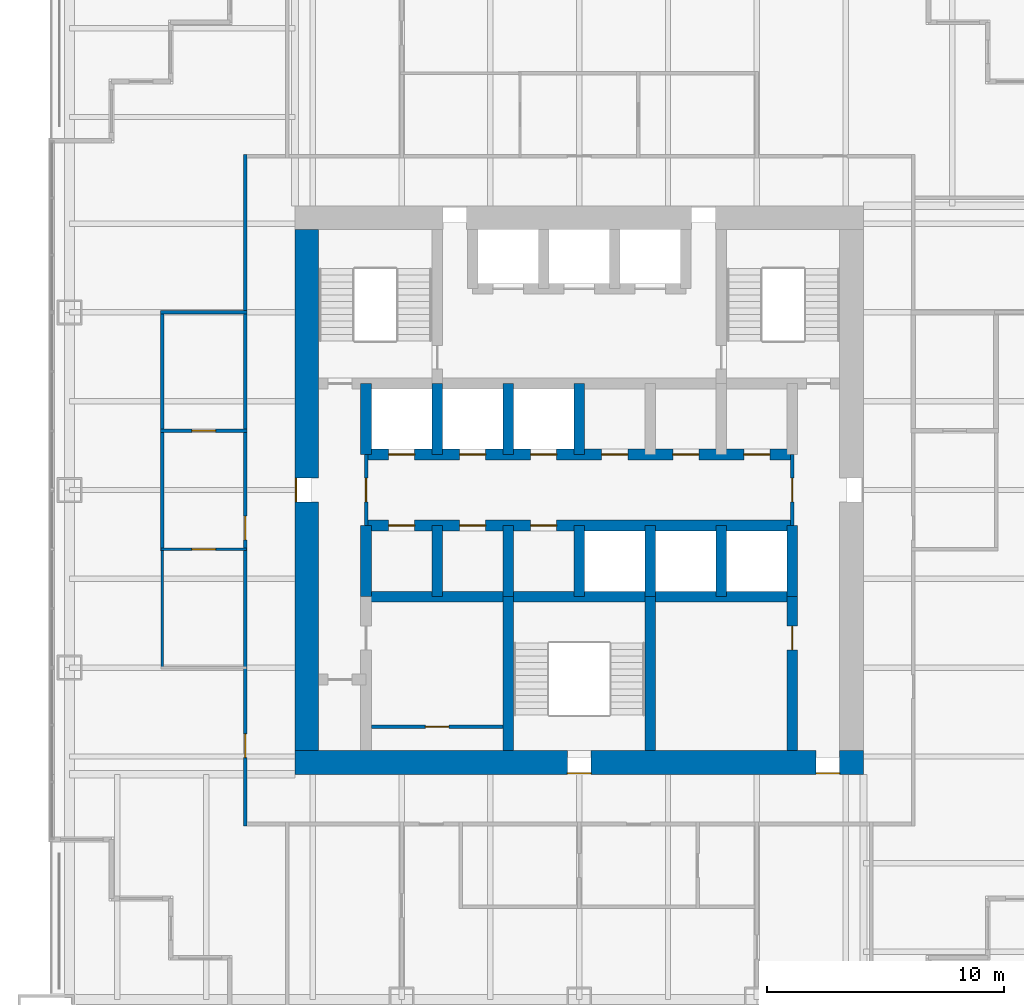
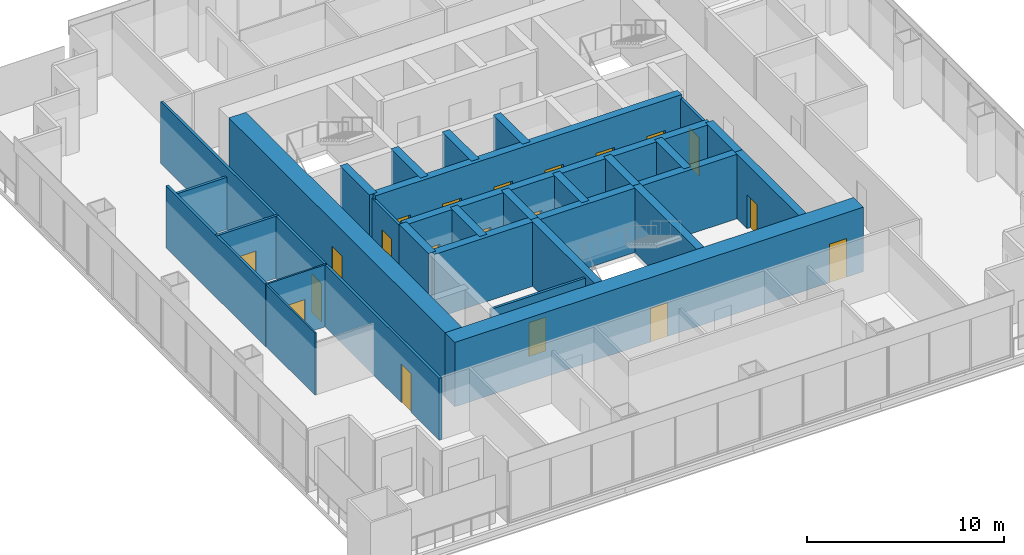
# One storey, part 9 of 13: 28 walls, 20 doors, 20 openings.
"""IFC4 building model written with IfcOpenShell, lengths in metres."""

from ifc_helpers import new_model, si_unit, direction, frame, frame_2d, origin, place, context, subcontext, project, spatial, rectangle, extrude, material, layer, layer_set, type_object, element, fill, save


model = new_model("IFC4")

# Units and contexts
model_context = context("Model", 3, precision=1e-05, world=origin(), true_north=direction((0.0, 1.0)))
body_context = subcontext(model_context, "Body", "Model", "MODEL_VIEW")
ifc_project = project(units=[si_unit("LENGTHUNIT", "METRE"), si_unit("AREAUNIT", "SQUARE_METRE"), si_unit("VOLUMEUNIT", "CUBIC_METRE"), si_unit("PLANEANGLEUNIT", "RADIAN"), si_unit("MASSUNIT", "GRAM", prefix="KILO")], contexts=[model_context])

# Site, building, storey
site_placement = place(None, origin())
site = spatial("IfcSite", under=ifc_project, at=site_placement, CompositionType="ELEMENT")
building_placement = place(site_placement, origin())
building = spatial("IfcBuilding", under=site, at=building_placement, Name="Tarangal Relay Tower", CompositionType="ELEMENT")
storey_placement = place(building_placement, frame((0.0, 0.0, 209.89990234375)))
storey = spatial("IfcBuildingStorey", under=building, at=storey_placement, Name="L44", CompositionType="ELEMENT", Elevation=209.89990234375)

# Wall, openings, doors
ifc_material_1 = material(Name="Concrete fc' 60 MPa", Category="concrete")
ifc_layer_1 = layer(ifc_material_1, 0.449951171875)
ifc_layer_set_1 = layer_set([ifc_layer_1], Name="Core inner wall 450")
wall_type_1 = type_object("IfcWallType", Name="Core inner wall 450", PredefinedType="SHEAR", material=ifc_layer_set_1)
wall_1_placement = place(storey_placement, frame((-9.0, 1.5, 0.0), z_axis=(0.0, 0.0, 1.0), x_axis=(1.0, 0.0, 0.0)))
wall_1 = element("IfcWall", 1, at=wall_1_placement, inside=storey, type_object=wall_type_1, Name="Core wall Y15 L44", PredefinedType="SHEAR", context=body_context, shape_type="SweptSolid", body=[
    extrude(rectangle(XDim=18.0, YDim=0.449951171875, at=frame_2d((9.0, 0.0))), origin(), (0.0, 0.0, 1.0), 4.0),
])
opening_1_placement = place(wall_1_placement, frame((0.949951171875, 0.0, 0.0)))
opening_1 = element("IfcOpeningElement", 2, at=opening_1_placement, cuts=wall_1, Name="Opening LD1", PredefinedType="OPENING", context=body_context, shape_type="SweptSolid", body=[
    extrude(rectangle(XDim=1.10009765625, YDim=2.10009765625, at=frame_2d((0.550048828125, 1.050048828125))), frame((0.0, 0.23486328125, 0.0), z_axis=(0.0, -1.0, 0.0), x_axis=(1.0, 0.0, 0.0)), (0.0, 0.0, 1.0), 0.469970703125),
])
opening_2_placement = place(wall_1_placement, frame((3.949951171875, 0.0, 0.0)))
opening_2 = element("IfcOpeningElement", 3, at=opening_2_placement, cuts=wall_1, Name="Opening LD1", PredefinedType="OPENING", context=body_context, shape_type="SweptSolid", body=[
    extrude(rectangle(XDim=1.10009765625, YDim=2.10009765625, at=frame_2d((0.550048828125, 1.050048828125))), frame((0.0, 0.23486328125, 0.0), z_axis=(0.0, -1.0, 0.0), x_axis=(1.0, 0.0, 0.0)), (0.0, 0.0, 1.0), 0.469970703125),
])
opening_3_placement = place(wall_1_placement, frame((6.949951171875, 0.0, 0.0)))
opening_3 = element("IfcOpeningElement", 4, at=opening_3_placement, cuts=wall_1, Name="Opening LD1", PredefinedType="OPENING", context=body_context, shape_type="SweptSolid", body=[
    extrude(rectangle(XDim=1.10009765625, YDim=2.10009765625, at=frame_2d((0.550048828125, 1.050048828125))), frame((0.0, 0.23486328125, 0.0), z_axis=(0.0, -1.0, 0.0), x_axis=(1.0, 0.0, 0.0)), (0.0, 0.0, 1.0), 0.469970703125),
])
opening_4_placement = place(wall_1_placement, frame((9.949951171875, 0.0, 0.0)))
opening_4 = element("IfcOpeningElement", 5, at=opening_4_placement, cuts=wall_1, Name="Opening D4", PredefinedType="OPENING", context=body_context, shape_type="SweptSolid", body=[
    extrude(rectangle(XDim=1.10009765625, YDim=2.10009765625, at=frame_2d((0.550048828125, 1.050048828125))), frame((0.0, 0.23486328125, 0.0), z_axis=(0.0, -1.0, 0.0), x_axis=(1.0, 0.0, 0.0)), (0.0, 0.0, 1.0), 0.469970703125),
])
opening_5_placement = place(wall_1_placement, frame((12.949951171875, 0.0, 0.0)))
opening_5 = element("IfcOpeningElement", 6, at=opening_5_placement, cuts=wall_1, Name="Opening D4", PredefinedType="OPENING", context=body_context, shape_type="SweptSolid", body=[
    extrude(rectangle(XDim=1.10009765625, YDim=2.10009765625, at=frame_2d((0.550048828125, 1.050048828125))), frame((0.0, 0.23486328125, 0.0), z_axis=(0.0, -1.0, 0.0), x_axis=(1.0, 0.0, 0.0)), (0.0, 0.0, 1.0), 0.469970703125),
])
opening_6_placement = place(wall_1_placement, frame((15.949951171875, 0.0, 0.0)))
opening_6 = element("IfcOpeningElement", 7, at=opening_6_placement, cuts=wall_1, Name="Opening D4", PredefinedType="OPENING", context=body_context, shape_type="SweptSolid", body=[
    extrude(rectangle(XDim=1.10009765625, YDim=2.10009765625, at=frame_2d((0.550048828125, 1.050048828125))), frame((0.0, 0.23486328125, 0.0), z_axis=(0.0, -1.0, 0.0), x_axis=(1.0, 0.0, 0.0)), (0.0, 0.0, 1.0), 0.469970703125),
])
ifc_material_2 = material(Name="Steel door with hardwood frame", Category="steel")
door_type_1 = type_object("IfcDoorType", Name="Core room door 1100 x 2100", OperationType="SINGLE_SWING_RIGHT", PredefinedType="DOOR", material=ifc_material_2)
door_1_placement = place(opening_4_placement, origin())
door_1 = element("IfcDoor", 8, at=door_1_placement, inside=storey, type_object=door_type_1, Name="Door D4 to cleaner's store L44-T1", OperationType="SINGLE_SWING_RIGHT", OverallHeight=2.10009765625, OverallWidth=1.10009765625, PredefinedType="DOOR", context=body_context, shape_type="SweptSolid", body=[
    extrude(rectangle(XDim=1.10009765625, YDim=2.10009765625, at=frame_2d((0.550048828125, 1.050048828125))), frame((0.0, 0.02490234375, 0.0), z_axis=(0.0, -1.0, 0.0), x_axis=(1.0, 0.0, 0.0)), (0.0, 0.0, 1.0), 0.050048828125),
])
fill(opening_4, door_1)
door_2_placement = place(opening_5_placement, origin())
door_2 = element("IfcDoor", 9, at=door_2_placement, inside=storey, type_object=door_type_1, Name="Door D4 to staff wc L44-T2", OperationType="SINGLE_SWING_RIGHT", OverallHeight=2.10009765625, OverallWidth=1.10009765625, PredefinedType="DOOR", context=body_context, shape_type="SweptSolid", body=[
    extrude(rectangle(XDim=1.10009765625, YDim=2.10009765625, at=frame_2d((0.550048828125, 1.050048828125))), frame((0.0, 0.02490234375, 0.0), z_axis=(0.0, -1.0, 0.0), x_axis=(1.0, 0.0, 0.0)), (0.0, 0.0, 1.0), 0.050048828125),
])
fill(opening_5, door_2)
door_3_placement = place(opening_6_placement, origin())
door_3 = element("IfcDoor", 10, at=door_3_placement, inside=storey, type_object=door_type_1, Name="Door D4 to staff pantry L44-T3", OperationType="SINGLE_SWING_RIGHT", OverallHeight=2.10009765625, OverallWidth=1.10009765625, PredefinedType="DOOR", context=body_context, shape_type="SweptSolid", body=[
    extrude(rectangle(XDim=1.10009765625, YDim=2.10009765625, at=frame_2d((0.550048828125, 1.050048828125))), frame((0.0, 0.02490234375, 0.0), z_axis=(0.0, -1.0, 0.0), x_axis=(1.0, 0.0, 0.0)), (0.0, 0.0, 1.0), 0.050048828125),
])
fill(opening_6, door_3)
door_type_2 = type_object("IfcDoorType", Name="Lift landing door 1100 x 2100", OperationType="SLIDING_TO_LEFT", PredefinedType="DOOR", material=ifc_material_2)
door_4_placement = place(opening_1_placement, origin())
door_4 = element("IfcDoor", 11, at=door_4_placement, inside=storey, type_object=door_type_2, Name="Lift OL1 landing door L44", OperationType="SLIDING_TO_LEFT", OverallHeight=2.10009765625, OverallWidth=1.10009765625, PredefinedType="DOOR", context=body_context, shape_type="SweptSolid", body=[
    extrude(rectangle(XDim=1.10009765625, YDim=2.10009765625, at=frame_2d((0.550048828125, 1.050048828125))), frame((0.0, 0.02490234375, 0.0), z_axis=(0.0, -1.0, 0.0), x_axis=(1.0, 0.0, 0.0)), (0.0, 0.0, 1.0), 0.050048828125),
])
fill(opening_1, door_4)
door_5_placement = place(opening_2_placement, origin())
door_5 = element("IfcDoor", 12, at=door_5_placement, inside=storey, type_object=door_type_2, Name="Lift OL2 landing door L44", OperationType="SLIDING_TO_LEFT", OverallHeight=2.10009765625, OverallWidth=1.10009765625, PredefinedType="DOOR", context=body_context, shape_type="SweptSolid", body=[
    extrude(rectangle(XDim=1.10009765625, YDim=2.10009765625, at=frame_2d((0.550048828125, 1.050048828125))), frame((0.0, 0.02490234375, 0.0), z_axis=(0.0, -1.0, 0.0), x_axis=(1.0, 0.0, 0.0)), (0.0, 0.0, 1.0), 0.050048828125),
])
fill(opening_2, door_5)
door_6_placement = place(opening_3_placement, origin())
door_6 = element("IfcDoor", 13, at=door_6_placement, inside=storey, type_object=door_type_2, Name="Lift OL3 landing door L44", OperationType="SLIDING_TO_LEFT", OverallHeight=2.10009765625, OverallWidth=1.10009765625, PredefinedType="DOOR", context=body_context, shape_type="SweptSolid", body=[
    extrude(rectangle(XDim=1.10009765625, YDim=2.10009765625, at=frame_2d((0.550048828125, 1.050048828125))), frame((0.0, 0.02490234375, 0.0), z_axis=(0.0, -1.0, 0.0), x_axis=(1.0, 0.0, 0.0)), (0.0, 0.0, 1.0), 0.050048828125),
])
fill(opening_3, door_6)

wall_2_placement = place(storey_placement, frame((-9.0, -1.5, 0.0), z_axis=(0.0, 0.0, 1.0), x_axis=(1.0, 0.0, 0.0)))
wall_2 = element("IfcWall", 14, at=wall_2_placement, inside=storey, type_object=wall_type_1, Name="Core wall YM15 L44", PredefinedType="SHEAR", context=body_context, shape_type="SweptSolid", body=[
    extrude(rectangle(XDim=18.0, YDim=0.449951171875, at=frame_2d((9.0, 0.0))), origin(), (0.0, 0.0, 1.0), 4.0),
])
opening_7_placement = place(wall_2_placement, frame((0.949951171875, 0.0, 0.0)))
opening_7 = element("IfcOpeningElement", 15, at=opening_7_placement, cuts=wall_2, Name="Opening D4", PredefinedType="OPENING", context=body_context, shape_type="SweptSolid", body=[
    extrude(rectangle(XDim=1.10009765625, YDim=2.10009765625, at=frame_2d((0.550048828125, 1.050048828125))), frame((0.0, 0.23486328125, 0.0), z_axis=(0.0, -1.0, 0.0), x_axis=(1.0, 0.0, 0.0)), (0.0, 0.0, 1.0), 0.469970703125),
])
opening_8_placement = place(wall_2_placement, frame((3.949951171875, 0.0, 0.0)))
opening_8 = element("IfcOpeningElement", 16, at=opening_8_placement, cuts=wall_2, Name="Opening D4", PredefinedType="OPENING", context=body_context, shape_type="SweptSolid", body=[
    extrude(rectangle(XDim=1.10009765625, YDim=2.10009765625, at=frame_2d((0.550048828125, 1.050048828125))), frame((0.0, 0.23486328125, 0.0), z_axis=(0.0, -1.0, 0.0), x_axis=(1.0, 0.0, 0.0)), (0.0, 0.0, 1.0), 0.469970703125),
])
opening_9_placement = place(wall_2_placement, frame((6.949951171875, 0.0, 0.0)))
opening_9 = element("IfcOpeningElement", 17, at=opening_9_placement, cuts=wall_2, Name="Opening D4", PredefinedType="OPENING", context=body_context, shape_type="SweptSolid", body=[
    extrude(rectangle(XDim=1.10009765625, YDim=2.10009765625, at=frame_2d((0.550048828125, 1.050048828125))), frame((0.0, 0.23486328125, 0.0), z_axis=(0.0, -1.0, 0.0), x_axis=(1.0, 0.0, 0.0)), (0.0, 0.0, 1.0), 0.469970703125),
])
door_7_placement = place(opening_7_placement, origin())
door_7 = element("IfcDoor", 18, at=door_7_placement, inside=storey, type_object=door_type_1, Name="Door D4 to it room L44-S1", OperationType="SINGLE_SWING_RIGHT", OverallHeight=2.10009765625, OverallWidth=1.10009765625, PredefinedType="DOOR", context=body_context, shape_type="SweptSolid", body=[
    extrude(rectangle(XDim=1.10009765625, YDim=2.10009765625, at=frame_2d((0.550048828125, 1.050048828125))), frame((0.0, 0.02490234375, 0.0), z_axis=(0.0, -1.0, 0.0), x_axis=(1.0, 0.0, 0.0)), (0.0, 0.0, 1.0), 0.050048828125),
])
fill(opening_7, door_7)
door_8_placement = place(opening_8_placement, origin())
door_8 = element("IfcDoor", 19, at=door_8_placement, inside=storey, type_object=door_type_1, Name="Door D4 to cleaner's store L44-S2", OperationType="SINGLE_SWING_RIGHT", OverallHeight=2.10009765625, OverallWidth=1.10009765625, PredefinedType="DOOR", context=body_context, shape_type="SweptSolid", body=[
    extrude(rectangle(XDim=1.10009765625, YDim=2.10009765625, at=frame_2d((0.550048828125, 1.050048828125))), frame((0.0, 0.02490234375, 0.0), z_axis=(0.0, -1.0, 0.0), x_axis=(1.0, 0.0, 0.0)), (0.0, 0.0, 1.0), 0.050048828125),
])
fill(opening_8, door_8)
door_9_placement = place(opening_9_placement, origin())
door_9 = element("IfcDoor", 20, at=door_9_placement, inside=storey, type_object=door_type_1, Name="Door D4 to staff wc L44-S3", OperationType="SINGLE_SWING_RIGHT", OverallHeight=2.10009765625, OverallWidth=1.10009765625, PredefinedType="DOOR", context=body_context, shape_type="SweptSolid", body=[
    extrude(rectangle(XDim=1.10009765625, YDim=2.10009765625, at=frame_2d((0.550048828125, 1.050048828125))), frame((0.0, 0.02490234375, 0.0), z_axis=(0.0, -1.0, 0.0), x_axis=(1.0, 0.0, 0.0)), (0.0, 0.0, 1.0), 0.050048828125),
])
fill(opening_9, door_9)

# Walls
wall_3_placement = place(storey_placement, frame((-9.0, -4.5, 0.0), z_axis=(0.0, 0.0, 1.0), x_axis=(1.0, 0.0, 0.0)))
element("IfcWall", 21, at=wall_3_placement, inside=storey, type_object=wall_type_1, Name="Core wall YM45 L44", PredefinedType="SHEAR", context=body_context, shape_type="SweptSolid", body=[
    extrude(rectangle(XDim=18.0, YDim=0.449951171875, at=frame_2d((9.0, 0.0))), origin(), (0.0, 0.0, 1.0), 4.0),
])
for number, where, z_axis, x_axis, name in (
    (22, (-9.0, 1.5, 0.0), (0.0, 0.0, 1.0), (0.0, 1.0, 0.0), "Core wall XM9N L44"),
    (23, (-9.0, -4.5, 0.0), (0.0, 0.0, 1.0), (0.0, 1.0, 0.0), "Core wall XM9S L44"),
    (24, (9.0, -4.5, 0.0), (0.0, 0.0, 1.0), (0.0, 1.0, 0.0), "Core wall X9S L44"),
    (25, (-6.0, 1.5, 0.0), (0.0, 0.0, 1.0), (0.0, 1.0, 0.0), "Core wall XM6N L44"),
    (26, (-3.0, 1.5, 0.0), (0.0, 0.0, 1.0), (0.0, 1.0, 0.0), "Core wall XM3N L44"),
    (27, (0.0, 1.5, 0.0), (0.0, 0.0, 1.0), (0.0, 1.0, 0.0), "Core wall X0N L44"),
    (28, (-6.0, -4.5, 0.0), (0.0, 0.0, 1.0), (0.0, 1.0, 0.0), "Core wall XM6S L44"),
    (29, (-3.0, -4.5, 0.0), (0.0, 0.0, 1.0), (0.0, 1.0, 0.0), "Core wall XM3S L44"),
    (30, (0.0, -4.5, 0.0), (0.0, 0.0, 1.0), (0.0, 1.0, 0.0), "Core wall X0S L44"),
    (31, (3.0, -4.5, 0.0), (0.0, 0.0, 1.0), (0.0, 1.0, 0.0), "Core wall X3S L44"),
    (32, (6.0, -4.5, 0.0), (0.0, 0.0, 1.0), (0.0, 1.0, 0.0), "Core wall X6S L44"),
):
    element("IfcWall", number, at=place(storey_placement, frame(where, z_axis=z_axis, x_axis=x_axis)), inside=storey, type_object=wall_type_1, Name=name, PredefinedType="SHEAR", context=body_context, shape_type="SweptSolid", body=[
        extrude(rectangle(XDim=3.0, YDim=0.449951171875, at=frame_2d((1.5, 0.0))), origin(), (0.0, 0.0, 1.0), 4.0),
    ])

# Wall, opening, door
wall_4_placement = place(storey_placement, frame((9.0, -11.0, 0.0), z_axis=(0.0, 0.0, 1.0), x_axis=(0.0, 1.0, 0.0)))
wall_4 = element("IfcWall", 33, at=wall_4_placement, inside=storey, type_object=wall_type_1, Name="Core wall X9W L44", PredefinedType="SHEAR", context=body_context, shape_type="SweptSolid", body=[
    extrude(rectangle(XDim=6.5, YDim=0.449951171875, at=frame_2d((3.25, 0.0))), origin(), (0.0, 0.0, 1.0), 4.0),
])
opening_10_placement = place(wall_4_placement, frame((4.25, 0.0, 0.0)))
opening_10 = element("IfcOpeningElement", 34, at=opening_10_placement, cuts=wall_4, Name="Opening D1", PredefinedType="OPENING", context=body_context, shape_type="SweptSolid", body=[
    extrude(rectangle(XDim=1.0, YDim=2.10009765625, at=frame_2d((0.5, 1.050048828125))), frame((0.0, 0.23486328125, 0.0), z_axis=(0.0, -1.0, 0.0), x_axis=(1.0, 0.0, 0.0)), (0.0, 0.0, 1.0), 0.469970703125),
])
ifc_material_3 = material(Name="Hardwood door", Category="wood")
door_type_3 = type_object("IfcDoorType", Name="WC door 1000 x 2100", OperationType="SINGLE_SWING_LEFT", PredefinedType="DOOR", material=ifc_material_3)
door_10_placement = place(opening_10_placement, origin())
door_10 = element("IfcDoor", 35, at=door_10_placement, inside=storey, type_object=door_type_3, Name="Female WC door L44", OperationType="SINGLE_SWING_LEFT", OverallHeight=2.10009765625, OverallWidth=1.0, PredefinedType="DOOR", context=body_context, shape_type="SweptSolid", body=[
    extrude(rectangle(XDim=1.0, YDim=2.10009765625, at=frame_2d((0.5, 1.050048828125))), frame((0.0, 0.02490234375, 0.0), z_axis=(0.0, -1.0, 0.0), x_axis=(1.0, 0.0, 0.0)), (0.0, 0.0, 1.0), 0.050048828125),
])
fill(opening_10, door_10)

# Walls
for number, where, z_axis, x_axis, name in (
    (36, (-3.0, -11.0, 0.0), (0.0, 0.0, 1.0), (0.0, 1.0, 0.0), "Core wall XM3W L44"),
    (37, (3.0, -11.0, 0.0), (0.0, 0.0, 1.0), (0.0, 1.0, 0.0), "Core wall X3W L44"),
):
    element("IfcWall", number, at=place(storey_placement, frame(where, z_axis=z_axis, x_axis=x_axis)), inside=storey, type_object=wall_type_1, Name=name, PredefinedType="SHEAR", context=body_context, shape_type="SweptSolid", body=[
        extrude(rectangle(XDim=6.5, YDim=0.449951171875, at=frame_2d((3.25, 0.0))), origin(), (0.0, 0.0, 1.0), 4.0),
    ])

# Wall, openings, doors
ifc_layer_2 = layer(ifc_material_1, 1.0)
ifc_layer_set_2 = layer_set([ifc_layer_2], Name="Core wall 1000")
wall_type_2 = type_object("IfcWallType", Name="Core wall 1000", PredefinedType="SHEAR", material=ifc_layer_set_2)
wall_5_placement = place(storey_placement, frame((12.0, -11.5, 0.0), z_axis=(0.0, 0.0, 1.0), x_axis=(-1.0, 0.0, 0.0)))
wall_5 = element("IfcWall", 38, at=wall_5_placement, inside=storey, type_object=wall_type_2, Name="Core wall S L44", PredefinedType="SHEAR", context=body_context, shape_type="SweptSolid", body=[
    extrude(rectangle(XDim=24.0, YDim=1.0, at=frame_2d((12.0, 0.0))), origin(), (0.0, 0.0, 1.0), 4.0),
])
opening_11_placement = place(wall_5_placement, frame((11.5, 0.0, 0.0)))
opening_11 = element("IfcOpeningElement", 39, at=opening_11_placement, cuts=wall_5, Name="Opening FD1", PredefinedType="OPENING", context=body_context, shape_type="SweptSolid", body=[
    extrude(rectangle(XDim=1.0, YDim=2.10009765625, at=frame_2d((0.5, 1.050048828125))), frame((0.0, 0.510009765625, 0.0), z_axis=(0.0, -1.0, 0.0), x_axis=(1.0, 0.0, 0.0)), (0.0, 0.0, 1.0), 1.02001953125),
])
opening_12_placement = place(wall_5_placement, frame((1.0, 0.0, 0.0)))
opening_12 = element("IfcOpeningElement", 40, at=opening_12_placement, cuts=wall_5, Name="Opening FD3", PredefinedType="OPENING", context=body_context, shape_type="SweptSolid", body=[
    extrude(rectangle(XDim=1.0, YDim=2.39990234375, at=frame_2d((0.5, 1.199951171875))), frame((0.0, 0.510009765625, 0.0), z_axis=(0.0, -1.0, 0.0), x_axis=(1.0, 0.0, 0.0)), (0.0, 0.0, 1.0), 1.02001953125),
])
door_type_4 = type_object("IfcDoorType", Name="Fire door 1000 x 2100", OperationType="SINGLE_SWING_LEFT", PredefinedType="DOOR", material=ifc_material_2)
door_11_placement = place(opening_11_placement, origin())
door_11 = element("IfcDoor", 41, at=door_11_placement, inside=storey, type_object=door_type_4, Name="Stair ST-C door L44", OperationType="SINGLE_SWING_LEFT", OverallHeight=2.10009765625, OverallWidth=1.0, PredefinedType="DOOR", context=body_context, shape_type="SweptSolid", body=[
    extrude(rectangle(XDim=1.0, YDim=2.10009765625, at=frame_2d((0.5, 1.050048828125))), frame((0.0, 0.48486328125, 0.0), z_axis=(0.0, -1.0, 0.0), x_axis=(1.0, 0.0, 0.0)), (0.0, 0.0, 1.0), 0.050048828125),
])
fill(opening_11, door_11)
door_type_5 = type_object("IfcDoorType", Name="Fire door 1000 x 2400 core entry", OperationType="SINGLE_SWING_RIGHT", PredefinedType="DOOR", material=ifc_material_2)
door_12_placement = place(opening_12_placement, origin())
door_12 = element("IfcDoor", 42, at=door_12_placement, inside=storey, type_object=door_type_5, Name="Core entry door south east L44", OperationType="SINGLE_SWING_RIGHT", OverallHeight=2.39990234375, OverallWidth=1.0, PredefinedType="DOOR", context=body_context, shape_type="SweptSolid", body=[
    extrude(rectangle(XDim=1.0, YDim=2.39990234375, at=frame_2d((0.5, 1.199951171875))), frame((0.0, 0.48486328125, 0.0), z_axis=(0.0, -1.0, 0.0), x_axis=(1.0, 0.0, 0.0)), (0.0, 0.0, 1.0), 0.050048828125),
])
fill(opening_12, door_12)

# Wall, opening, door
wall_6_placement = place(storey_placement, frame((-11.5, -11.0, 0.0), z_axis=(0.0, 0.0, 1.0), x_axis=(0.0, 1.0, 0.0)))
wall_6 = element("IfcWall", 43, at=wall_6_placement, inside=storey, type_object=wall_type_2, Name="Core wall W L44", PredefinedType="SHEAR", context=body_context, shape_type="SweptSolid", body=[
    extrude(rectangle(XDim=22.0, YDim=1.0, at=frame_2d((11.0, 0.0))), origin(), (0.0, 0.0, 1.0), 4.0),
])
opening_13_placement = place(wall_6_placement, frame((10.5, 0.0, 0.0)))
opening_13 = element("IfcOpeningElement", 44, at=opening_13_placement, cuts=wall_6, Name="Opening FD3", PredefinedType="OPENING", context=body_context, shape_type="SweptSolid", body=[
    extrude(rectangle(XDim=1.0, YDim=2.39990234375, at=frame_2d((0.5, 1.199951171875))), frame((0.0, 0.510009765625, 0.0), z_axis=(0.0, -1.0, 0.0), x_axis=(1.0, 0.0, 0.0)), (0.0, 0.0, 1.0), 1.02001953125),
])
door_13_placement = place(opening_13_placement, origin())
door_13 = element("IfcDoor", 45, at=door_13_placement, inside=storey, type_object=door_type_5, Name="Core entry door west L44", OperationType="SINGLE_SWING_RIGHT", OverallHeight=2.39990234375, OverallWidth=1.0, PredefinedType="DOOR", context=body_context, shape_type="SweptSolid", body=[
    extrude(rectangle(XDim=1.0, YDim=2.39990234375, at=frame_2d((0.5, 1.199951171875))), frame((0.0, 0.48486328125, 0.0), z_axis=(0.0, -1.0, 0.0), x_axis=(1.0, 0.0, 0.0)), (0.0, 0.0, 1.0), 0.050048828125),
])
fill(opening_13, door_13)

ifc_material_4 = material(Name="Double glazed aluminium framed partition", Category="aluminium")
ifc_layer_3 = layer(ifc_material_4, 0.10009765625)
ifc_layer_set_3 = layer_set([ifc_layer_3], Name="Glazed partition 100")
wall_type_3 = type_object("IfcWallType", Name="Glazed partition 100", PredefinedType="PARTITIONING", material=ifc_layer_set_3)
wall_7_placement = place(storey_placement, frame((-17.64990234375, -2.5, 0.0), z_axis=(0.0, 0.0, 1.0), x_axis=(1.0, 0.0, 0.0)))
wall_7 = element("IfcWall", 46, at=wall_7_placement, inside=storey, type_object=wall_type_3, Name="Partition PT3 L44", PredefinedType="PARTITIONING", context=body_context, shape_type="SweptSolid", body=[
    extrude(rectangle(XDim=3.599853515625, YDim=0.10009765625, at=frame_2d((1.7998046875, 0.0))), origin(), (0.0, 0.0, 1.0), 3.85009765625),
])
opening_14_placement = place(wall_7_placement, frame((1.300048828125, 0.0, 0.0)))
opening_14 = element("IfcOpeningElement", 47, at=opening_14_placement, cuts=wall_7, Name="Opening D3", PredefinedType="OPENING", context=body_context, shape_type="SweptSolid", body=[
    extrude(rectangle(XDim=1.0, YDim=2.10009765625, at=frame_2d((0.5, 1.050048828125))), frame((0.0, 0.06005859375, 0.0), z_axis=(0.0, -1.0, 0.0), x_axis=(1.0, 0.0, 0.0)), (0.0, 0.0, 1.0), 0.1201171875),
])
ifc_material_5 = material(Name="Frameless glass door", Category="glass")
door_type_6 = type_object("IfcDoorType", Name="Glazed door 1000 x 2100", OperationType="SINGLE_SWING_LEFT", PredefinedType="DOOR", material=ifc_material_5)
door_14_placement = place(opening_14_placement, origin())
door_14 = element("IfcDoor", 48, at=door_14_placement, inside=storey, type_object=door_type_6, Name="Door D3 to meeting room L44-15", OperationType="SINGLE_SWING_LEFT", OverallHeight=2.10009765625, OverallWidth=1.0, PredefinedType="DOOR", context=body_context, shape_type="SweptSolid", body=[
    extrude(rectangle(XDim=1.0, YDim=2.10009765625, at=frame_2d((0.5, 1.050048828125))), frame((0.0, 0.02490234375, 0.0), z_axis=(0.0, -1.0, 0.0), x_axis=(1.0, 0.0, 0.0)), (0.0, 0.0, 1.0), 0.050048828125),
])
fill(opening_14, door_14)

# Wall
wall_8_placement = place(storey_placement, frame((-17.60009765625, -7.550048828125, 0.0), z_axis=(0.0, 0.0, 1.0), x_axis=(0.0, 1.0, 0.0)))
element("IfcWall", 49, at=wall_8_placement, inside=storey, type_object=wall_type_3, Name="Partition PT3 L44", PredefinedType="PARTITIONING", context=body_context, shape_type="SweptSolid", body=[
    extrude(rectangle(XDim=5.10009765625, YDim=0.10009765625, at=frame_2d((2.550048828125, 0.0))), origin(), (0.0, 0.0, 1.0), 3.85009765625),
])

# Wall, opening, door
ifc_material_6 = material(Name="Gypsum board on steel studs", Category="steel")
ifc_layer_4 = layer(ifc_material_6, 0.14990234375)
ifc_layer_set_4 = layer_set([ifc_layer_4], Name="Partition 150")
wall_type_4 = type_object("IfcWallType", Name="Partition 150", PredefinedType="PARTITIONING", material=ifc_layer_set_4)
wall_9_placement = place(storey_placement, frame((-17.675048828125, 2.5, 0.0), z_axis=(0.0, 0.0, 1.0), x_axis=(1.0, 0.0, 0.0)))
wall_9 = element("IfcWall", 50, at=wall_9_placement, inside=storey, type_object=wall_type_4, Name="Partition PT1 L44", PredefinedType="PARTITIONING", context=body_context, shape_type="SweptSolid", body=[
    extrude(rectangle(XDim=3.650146484375, YDim=0.14990234375, at=frame_2d((1.8251953125, 0.0))), origin(), (0.0, 0.0, 1.0), 3.85009765625),
])
opening_15_placement = place(wall_9_placement, frame((1.324951171875, 0.0, 0.0)))
opening_15 = element("IfcOpeningElement", 51, at=opening_15_placement, cuts=wall_9, Name="Opening D2", PredefinedType="OPENING", context=body_context, shape_type="SweptSolid", body=[
    extrude(rectangle(XDim=1.0, YDim=2.10009765625, at=frame_2d((0.5, 1.050048828125))), frame((0.0, 0.0849609375, 0.0), z_axis=(0.0, -1.0, 0.0), x_axis=(1.0, 0.0, 0.0)), (0.0, 0.0, 1.0), 0.169921875),
])
door_type_7 = type_object("IfcDoorType", Name="Door 1000 x 2100", OperationType="SINGLE_SWING_LEFT", PredefinedType="DOOR", material=ifc_material_3)
door_15_placement = place(opening_15_placement, origin())
door_15 = element("IfcDoor", 52, at=door_15_placement, inside=storey, type_object=door_type_7, Name="Door D2 to tea pantry L44-17", OperationType="SINGLE_SWING_LEFT", OverallHeight=2.10009765625, OverallWidth=1.0, PredefinedType="DOOR", context=body_context, shape_type="SweptSolid", body=[
    extrude(rectangle(XDim=1.0, YDim=2.10009765625, at=frame_2d((0.5, 1.050048828125))), frame((0.0, 0.02490234375, 0.0), z_axis=(0.0, -1.0, 0.0), x_axis=(1.0, 0.0, 0.0)), (0.0, 0.0, 1.0), 0.050048828125),
])
fill(opening_15, door_15)

# Walls
wall_10_placement = place(storey_placement, frame((-17.675048828125, 7.5, 0.0), z_axis=(0.0, 0.0, 1.0), x_axis=(1.0, 0.0, 0.0)))
element("IfcWall", 53, at=wall_10_placement, inside=storey, type_object=wall_type_4, Name="Partition PT1 L44", PredefinedType="PARTITIONING", context=body_context, shape_type="SweptSolid", body=[
    extrude(rectangle(XDim=3.650146484375, YDim=0.14990234375, at=frame_2d((1.8251953125, 0.0))), origin(), (0.0, 0.0, 1.0), 3.238037109375),
])
wall_11_placement = place(storey_placement, frame((-17.60009765625, -2.574951171875, 0.0), z_axis=(0.0, 0.0, 1.0), x_axis=(0.0, 1.0, 0.0)))
element("IfcWall", 54, at=wall_11_placement, inside=storey, type_object=wall_type_4, Name="Partition PT1 L44", PredefinedType="PARTITIONING", context=body_context, shape_type="SweptSolid", body=[
    extrude(rectangle(XDim=10.14990234375, YDim=0.14990234375, at=frame_2d((5.074951171875, 0.0))), origin(), (0.0, 0.0, 1.0), 3.85009765625),
])

# Wall, openings, doors
wall_12_placement = place(storey_placement, frame((-14.10009765625, -14.175048828125, 0.0), z_axis=(0.0, 0.0, 1.0), x_axis=(0.0, 1.0, 0.0)))
wall_12 = element("IfcWall", 55, at=wall_12_placement, inside=storey, type_object=wall_type_4, Name="Partition PT1 L44", PredefinedType="PARTITIONING", context=body_context, shape_type="SweptSolid", body=[
    extrude(rectangle(XDim=28.35009765625, YDim=0.14990234375, at=frame_2d((14.175048828125, 0.0))), origin(), (0.0, 0.0, 1.0), 3.85009765625),
])
opening_16_placement = place(wall_12_placement, frame((12.074951171875, 0.0, 0.0)))
opening_16 = element("IfcOpeningElement", 56, at=opening_16_placement, cuts=wall_12, Name="Opening SD1", PredefinedType="OPENING", context=body_context, shape_type="SweptSolid", body=[
    extrude(rectangle(XDim=1.0, YDim=2.39990234375, at=frame_2d((0.5, 1.199951171875))), frame((0.0, 0.0849609375, 0.0), z_axis=(0.0, -1.0, 0.0), x_axis=(1.0, 0.0, 0.0)), (0.0, 0.0, 1.0), 0.169921875),
])
opening_17_placement = place(wall_12_placement, frame((2.875, 0.0, 0.0)))
opening_17 = element("IfcOpeningElement", 57, at=opening_17_placement, cuts=wall_12, Name="Opening SD1", PredefinedType="OPENING", context=body_context, shape_type="SweptSolid", body=[
    extrude(rectangle(XDim=1.0, YDim=2.39990234375, at=frame_2d((0.5, 1.199951171875))), frame((0.0, 0.0849609375, 0.0), z_axis=(0.0, -1.0, 0.0), x_axis=(1.0, 0.0, 0.0)), (0.0, 0.0, 1.0), 0.169921875),
])
door_type_8 = type_object("IfcDoorType", Name="Suite entrance door 1000 x 2400", OperationType="SINGLE_SWING_RIGHT", PredefinedType="DOOR", material=ifc_material_2)
door_16_placement = place(opening_16_placement, origin())
door_16 = element("IfcDoor", 58, at=door_16_placement, inside=storey, type_object=door_type_8, Name="Door SD1 to reception L44-16", OperationType="SINGLE_SWING_RIGHT", OverallHeight=2.39990234375, OverallWidth=1.0, PredefinedType="DOOR", context=body_context, shape_type="SweptSolid", body=[
    extrude(rectangle(XDim=1.0, YDim=2.39990234375, at=frame_2d((0.5, 1.199951171875))), frame((0.0, 0.02490234375, 0.0), z_axis=(0.0, -1.0, 0.0), x_axis=(1.0, 0.0, 0.0)), (0.0, 0.0, 1.0), 0.050048828125),
])
fill(opening_16, door_16)
door_17_placement = place(opening_17_placement, origin())
door_17 = element("IfcDoor", 59, at=door_17_placement, inside=storey, type_object=door_type_8, Name="Door SD1 to open plan office L44-20", OperationType="SINGLE_SWING_RIGHT", OverallHeight=2.39990234375, OverallWidth=1.0, PredefinedType="DOOR", context=body_context, shape_type="SweptSolid", body=[
    extrude(rectangle(XDim=1.0, YDim=2.39990234375, at=frame_2d((0.5, 1.199951171875))), frame((0.0, 0.02490234375, 0.0), z_axis=(0.0, -1.0, 0.0), x_axis=(1.0, 0.0, 0.0)), (0.0, 0.0, 1.0), 0.050048828125),
])
fill(opening_17, door_17)

# Wall, opening, door
wall_13_placement = place(storey_placement, frame((-8.77490234375, -10.0, 0.0), z_axis=(0.0, 0.0, 1.0), x_axis=(1.0, 0.0, 0.0)))
wall_13 = element("IfcWall", 60, at=wall_13_placement, inside=storey, type_object=wall_type_4, Name="Partition PT1 L44", PredefinedType="PARTITIONING", context=body_context, shape_type="SweptSolid", body=[
    extrude(rectangle(XDim=5.5498046875, YDim=0.14990234375, at=frame_2d((2.77490234375, 0.0))), origin(), (0.0, 0.0, 1.0), 3.75),
])
opening_18_placement = place(wall_13_placement, frame((2.27490234375, 0.0, 0.0)))
opening_18 = element("IfcOpeningElement", 61, at=opening_18_placement, cuts=wall_13, Name="Opening D1", PredefinedType="OPENING", context=body_context, shape_type="SweptSolid", body=[
    extrude(rectangle(XDim=1.0, YDim=2.10009765625, at=frame_2d((0.5, 1.050048828125))), frame((0.0, 0.0849609375, 0.0), z_axis=(0.0, -1.0, 0.0), x_axis=(1.0, 0.0, 0.0)), (0.0, 0.0, 1.0), 0.169921875),
])
door_18_placement = place(opening_18_placement, origin())
door_18 = element("IfcDoor", 62, at=door_18_placement, inside=storey, type_object=door_type_3, Name="Door D1 to male shower room L44-C7B", OperationType="SINGLE_SWING_LEFT", OverallHeight=2.10009765625, OverallWidth=1.0, PredefinedType="DOOR", context=body_context, shape_type="SweptSolid", body=[
    extrude(rectangle(XDim=1.0, YDim=2.10009765625, at=frame_2d((0.5, 1.050048828125))), frame((0.0, 0.02490234375, 0.0), z_axis=(0.0, -1.0, 0.0), x_axis=(1.0, 0.0, 0.0)), (0.0, 0.0, 1.0), 0.050048828125),
])
fill(opening_18, door_18)

wall_14_placement = place(storey_placement, frame((-9.0, -1.5, 0.0), z_axis=(0.0, 0.0, 1.0), x_axis=(0.0, 1.0, 0.0)))
wall_14 = element("IfcWall", 63, at=wall_14_placement, inside=storey, type_object=wall_type_4, Name="Partition PT1 L44", PredefinedType="PARTITIONING", context=body_context, shape_type="SweptSolid", body=[
    extrude(rectangle(XDim=3.0, YDim=0.14990234375, at=frame_2d((1.5, 0.0))), origin(), (0.0, 0.0, 1.0), 3.75),
])
opening_19_placement = place(wall_14_placement, frame((1.0, 0.0, 0.0)))
opening_19 = element("IfcOpeningElement", 64, at=opening_19_placement, cuts=wall_14, Name="Opening FD3", PredefinedType="OPENING", context=body_context, shape_type="SweptSolid", body=[
    extrude(rectangle(XDim=1.0, YDim=2.39990234375, at=frame_2d((0.5, 1.199951171875))), frame((0.0, 0.0849609375, 0.0), z_axis=(0.0, -1.0, 0.0), x_axis=(1.0, 0.0, 0.0)), (0.0, 0.0, 1.0), 0.169921875),
])
door_19_placement = place(opening_19_placement, origin())
door_19 = element("IfcDoor", 65, at=door_19_placement, inside=storey, type_object=door_type_5, Name="Lift lobby door FD3 to the west corridor L44", OperationType="SINGLE_SWING_RIGHT", OverallHeight=2.39990234375, OverallWidth=1.0, PredefinedType="DOOR", context=body_context, shape_type="SweptSolid", body=[
    extrude(rectangle(XDim=1.0, YDim=2.39990234375, at=frame_2d((0.5, 1.199951171875))), frame((0.0, 0.02490234375, 0.0), z_axis=(0.0, -1.0, 0.0), x_axis=(1.0, 0.0, 0.0)), (0.0, 0.0, 1.0), 0.050048828125),
])
fill(opening_19, door_19)

wall_15_placement = place(storey_placement, frame((9.0, -1.5, 0.0), z_axis=(0.0, 0.0, 1.0), x_axis=(0.0, 1.0, 0.0)))
wall_15 = element("IfcWall", 66, at=wall_15_placement, inside=storey, type_object=wall_type_4, Name="Partition PT1 L44", PredefinedType="PARTITIONING", context=body_context, shape_type="SweptSolid", body=[
    extrude(rectangle(XDim=3.0, YDim=0.14990234375, at=frame_2d((1.5, 0.0))), origin(), (0.0, 0.0, 1.0), 3.75),
])
opening_20_placement = place(wall_15_placement, frame((1.0, 0.0, 0.0)))
opening_20 = element("IfcOpeningElement", 67, at=opening_20_placement, cuts=wall_15, Name="Opening FD3", PredefinedType="OPENING", context=body_context, shape_type="SweptSolid", body=[
    extrude(rectangle(XDim=1.0, YDim=2.39990234375, at=frame_2d((0.5, 1.199951171875))), frame((0.0, 0.0849609375, 0.0), z_axis=(0.0, -1.0, 0.0), x_axis=(1.0, 0.0, 0.0)), (0.0, 0.0, 1.0), 0.169921875),
])
door_20_placement = place(opening_20_placement, origin())
door_20 = element("IfcDoor", 68, at=door_20_placement, inside=storey, type_object=door_type_5, Name="Lift lobby door FD3 to the east corridor L44", OperationType="SINGLE_SWING_RIGHT", OverallHeight=2.39990234375, OverallWidth=1.0, PredefinedType="DOOR", context=body_context, shape_type="SweptSolid", body=[
    extrude(rectangle(XDim=1.0, YDim=2.39990234375, at=frame_2d((0.5, 1.199951171875))), frame((0.0, 0.02490234375, 0.0), z_axis=(0.0, -1.0, 0.0), x_axis=(1.0, 0.0, 0.0)), (0.0, 0.0, 1.0), 0.050048828125),
])
fill(opening_20, door_20)

save(model, "model.ifc")
